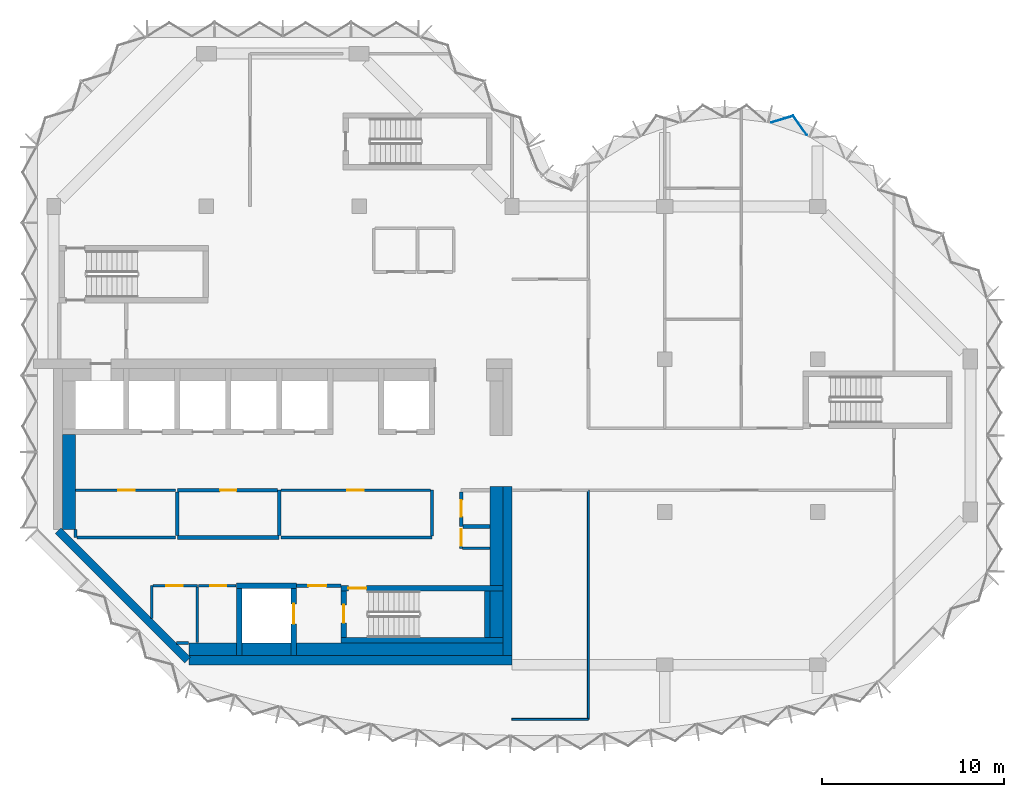
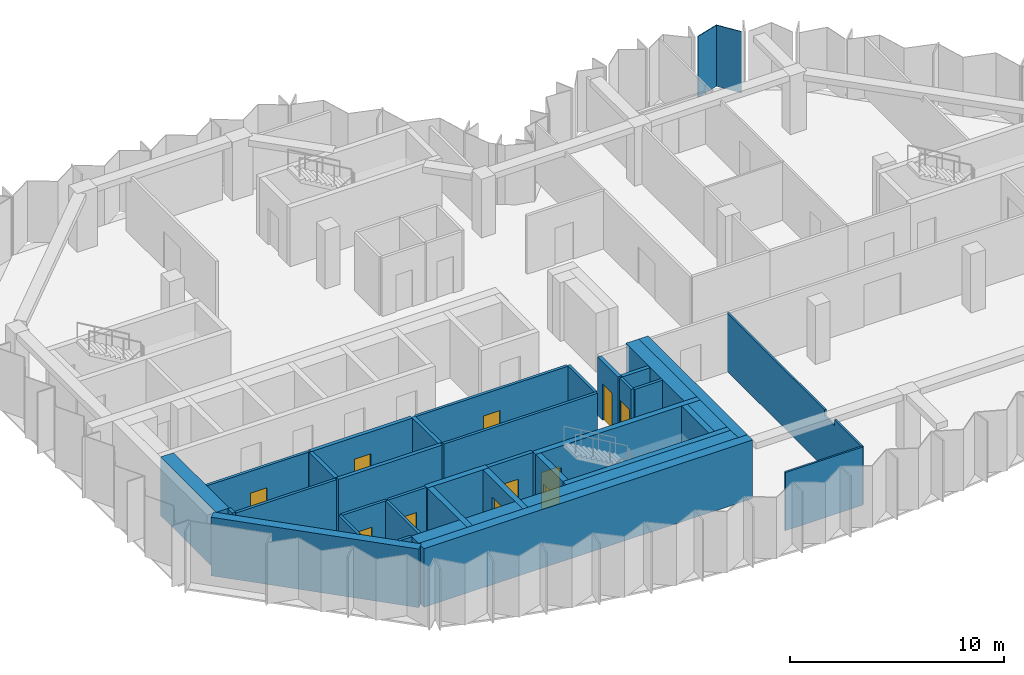
# One storey, part 4 of 9: 38 walls, 11 doors, 1 plate, 11 openings, 1 element without a shape of its own.
"""IFC4 building model written with IfcOpenShell, lengths in metres."""

from ifc_helpers import new_model, si_unit, direction, frame, frame_2d, origin, place, context, subcontext, project, spatial, polyline, rectangle, outline, extrude, material, layer, layer_set, type_object, element, fill, aggregate, save


model = new_model("IFC4")

# Units and contexts
model_context = context("Model", 3, precision=1e-05, world=origin(), true_north=direction((0.0, 1.0)))
body_context = subcontext(model_context, "Body", "Model", "MODEL_VIEW")
ifc_project = project(units=[si_unit("LENGTHUNIT", "METRE"), si_unit("AREAUNIT", "SQUARE_METRE"), si_unit("VOLUMEUNIT", "CUBIC_METRE"), si_unit("PLANEANGLEUNIT", "RADIAN"), si_unit("MASSUNIT", "GRAM", prefix="KILO")], contexts=[model_context])

# Site, building, storey
site_placement = place(None, origin())
site = spatial("IfcSite", under=ifc_project, at=site_placement, CompositionType="ELEMENT")
building_placement = place(site_placement, origin())
building = spatial("IfcBuilding", under=site, at=building_placement, Name="Brevane Broadcast Tower", CompositionType="ELEMENT")
storey_placement = place(building_placement, frame((0.0, 0.0, 240.89990234375)))
storey = spatial("IfcBuildingStorey", under=building, at=storey_placement, Name="L61", CompositionType="ELEMENT", Elevation=240.89990234375)

# Curtain wall, plate
ifc_material_1 = material(Name="Aluminium 6063-T6 bronze anodised", Category="aluminium")
curtain_wall_type = type_object("IfcCurtainWallType", Name="CW-1 curtain wall", PredefinedType="NOTDEFINED", material=ifc_material_1)
curtain_wall_placement = place(storey_placement, origin())
curtain_wall = element("IfcCurtainWall", 1, at=curtain_wall_placement, inside=storey, type_object=curtain_wall_type, Name="CW-1 typical tilted unit L61 east bow", PredefinedType="NOTDEFINED")
ifc_material_2 = material(Name="Laminated glass bronze-tinted", Category="glass")
ifc_layer_1 = layer(ifc_material_2, 0.0400390625)
ifc_layer_set_1 = layer_set([ifc_layer_1], Name="CW tall glass panel 40")
plate_type = type_object("IfcPlateType", Name="CW tall glass panel 40", PredefinedType="CURTAIN_PANEL", material=ifc_layer_set_1)
plate_placement = place(storey_placement, frame((0.0, 0.0, -0.14990234375)))
plate = element("IfcPlate", 2, at=plate_placement, type_object=plate_type, Name="CW-1 glass panel", PredefinedType="CURTAIN_PANEL", context=body_context, shape_type="SweptSolid", body=[
    extrude(outline(polyline([(41.3994140625, 29.104248046875), (41.4189453125, 29.1455078125), (40.667724609375, 30.20166015625), (39.45068359375, 29.83349609375), (39.440185546875, 29.78857421875), (40.65185546875, 30.155029296875), (41.3994140625, 29.104248046875)])), origin(), (0.0, 0.0, 1.0), 3.5),
])
aggregate(curtain_wall, [plate])

# Walls
ifc_material_3 = material(Name="Concrete C32/40", Category="concrete")
ifc_layer_2 = layer(ifc_material_3, 0.699951171875)
ifc_layer_set_2 = layer_set([ifc_layer_2], Name="Core chase wall 700 mm")
wall_type_1 = type_object("IfcWallType", Name="Core chase wall 700 mm", PredefinedType="PARTITIONING", material=ifc_layer_set_2)
wall_1_placement = place(storey_placement, frame((0.85009765625, 7.436279296875, 0.0), z_axis=(0.0, 0.0, 1.0), x_axis=(0.0, 1.0, 0.0)))
element("IfcWall", 3, at=wall_1_placement, inside=storey, type_object=wall_type_1, Name="L61 chase wall LW-1", PredefinedType="PARTITIONING", context=body_context, shape_type="SweptSolid", body=[
    extrude(rectangle(XDim=5.213623046875, YDim=0.699951171875, at=frame_2d((2.60693359375, 0.0))), origin(), (0.0, 0.0, 1.0), 3.35009765625),
])
wall_2_placement = place(storey_placement, frame((7.436279296875, 0.85009765625, 0.0), z_axis=(0.0, 0.0, 1.0), x_axis=(1.0, 0.0, 0.0)))
element("IfcWall", 4, at=wall_2_placement, inside=storey, type_object=wall_type_1, Name="L61 chase wall LS-1", PredefinedType="PARTITIONING", context=body_context, shape_type="SweptSolid", body=[
    extrude(rectangle(XDim=2.61376953125, YDim=0.699951171875, at=frame_2d((1.306884765625, 0.0))), origin(), (0.0, 0.0, 1.0), 3.35009765625),
])
wall_3_placement = place(storey_placement, frame((10.35009765625, 0.85009765625, 0.0), z_axis=(0.0, 0.0, 1.0), x_axis=(1.0, 0.0, 0.0)))
element("IfcWall", 5, at=wall_3_placement, inside=storey, type_object=wall_type_1, Name="L61 chase wall LS-2-1", PredefinedType="PARTITIONING", context=body_context, shape_type="SweptSolid", body=[
    extrude(rectangle(XDim=2.699951171875, YDim=0.699951171875, at=frame_2d((1.35009765625, 0.0))), origin(), (0.0, 0.0, 1.0), 3.35009765625),
])
wall_4_placement = place(storey_placement, frame((13.35009765625, 0.85009765625, 0.0), z_axis=(0.0, 0.0, 1.0), x_axis=(1.0, 0.0, 0.0)))
element("IfcWall", 6, at=wall_4_placement, inside=storey, type_object=wall_type_1, Name="L61 chase wall LS-2-2", PredefinedType="PARTITIONING", context=body_context, shape_type="SweptSolid", body=[
    extrude(rectangle(XDim=11.349853515625, YDim=0.699951171875, at=frame_2d((5.6748046875, 0.0))), origin(), (0.0, 0.0, 1.0), 3.35009765625),
])
wall_5_placement = place(storey_placement, frame((24.35009765625, 1.5, 0.0), z_axis=(0.0, 0.0, 1.0), x_axis=(0.0, 1.0, 0.0)))
element("IfcWall", 7, at=wall_5_placement, inside=storey, type_object=wall_type_1, Name="L61 chase wall LE1-2-1", PredefinedType="PARTITIONING", context=body_context, shape_type="SweptSolid", body=[
    extrude(rectangle(XDim=2.550048828125, YDim=0.699951171875, at=frame_2d((1.27490234375, 0.0))), origin(), (0.0, 0.0, 1.0), 3.35009765625),
])
wall_6_placement = place(storey_placement, frame((24.35009765625, 4.35009765625, 0.0), z_axis=(0.0, 0.0, 1.0), x_axis=(0.0, 1.0, 0.0)))
element("IfcWall", 8, at=wall_6_placement, inside=storey, type_object=wall_type_1, Name="L61 chase wall LE1-2-2", PredefinedType="PARTITIONING", context=body_context, shape_type="SweptSolid", body=[
    extrude(rectangle(XDim=5.449951171875, YDim=0.699951171875, at=frame_2d((2.72509765625, 0.0))), origin(), (0.0, 0.0, 1.0), 3.35009765625),
])
ifc_material_4 = material(Name="Gypsum board on steel studs", Category="steel")
ifc_layer_3 = layer(ifc_material_4, 0.14990234375)
ifc_layer_set_3 = layer_set([ifc_layer_3], Name="Core fire partition 150 mm")
wall_type_2 = type_object("IfcWallType", Name="Core fire partition 150 mm", PredefinedType="PARTITIONING", material=ifc_layer_set_3)
wall_7_placement = place(storey_placement, frame((5.39990234375, 2.553466796875, 0.0), z_axis=(0.0, 0.0, 1.0), x_axis=(0.0, 1.0, 0.0)))
element("IfcWall", 9, at=wall_7_placement, inside=storey, type_object=wall_type_2, Name="L61 partition wall P11", PredefinedType="PARTITIONING", context=body_context, shape_type="SweptSolid", body=[
    extrude(rectangle(XDim=1.796630859375, YDim=0.14990234375, at=frame_2d((0.8984375, 0.0))), origin(), (0.0, 0.0, 1.0), 3.35009765625),
])

# Wall, opening, door
wall_8_placement = place(storey_placement, frame((5.47509765625, 4.35009765625, 0.0), z_axis=(0.0, 0.0, 1.0), x_axis=(1.0, 0.0, 0.0)))
wall_8 = element("IfcWall", 10, at=wall_8_placement, inside=storey, type_object=wall_type_2, Name="L61 partition wall P12", PredefinedType="PARTITIONING", context=body_context, shape_type="SweptSolid", body=[
    extrude(rectangle(XDim=2.4248046875, YDim=0.14990234375, at=frame_2d((1.21240234375, 0.0))), origin(), (0.0, 0.0, 1.0), 3.35009765625),
])
opening_1_placement = place(wall_8_placement, frame((0.72509765625, 0.0, 0.0)))
opening_1 = element("IfcOpeningElement", 11, at=opening_1_placement, cuts=wall_8, Name="Opening L61-K14", PredefinedType="OPENING", context=body_context, shape_type="SweptSolid", body=[
    extrude(rectangle(XDim=0.89990234375, YDim=2.10009765625, at=frame_2d((0.449951171875, 1.050048828125))), frame((0.0, 0.0849609375, 0.0), z_axis=(0.0, -1.0, 0.0), x_axis=(1.0, 0.0, 0.0)), (0.0, 0.0, 1.0), 0.169921875),
])
ifc_material_5 = material(Name="Timber", Category="wood")
door_type_1 = type_object("IfcDoorType", Name="Toilet door 900 x 2100", OperationType="SINGLE_SWING_LEFT", PredefinedType="DOOR", material=ifc_material_5)
door_1_placement = place(opening_1_placement, origin())
door_1 = element("IfcDoor", 12, at=door_1_placement, inside=storey, type_object=door_type_1, Name="Door L61-K14", OperationType="SINGLE_SWING_LEFT", OverallHeight=2.10009765625, OverallWidth=0.89990234375, PredefinedType="DOOR", context=body_context, shape_type="SweptSolid", body=[
    extrude(rectangle(XDim=0.89990234375, YDim=2.10009765625, at=frame_2d((0.449951171875, 1.050048828125))), frame((0.0, 0.02490234375, 0.0), z_axis=(0.0, -1.0, 0.0), x_axis=(1.0, 0.0, 0.0)), (0.0, 0.0, 1.0), 0.050048828125),
])
fill(opening_1, door_1)

# Walls
wall_9_placement = place(storey_placement, frame((7.89990234375, 4.27490234375, 0.0), z_axis=(0.0, 0.0, 1.0), x_axis=(0.0, -1.0, 0.0)))
element("IfcWall", 13, at=wall_9_placement, inside=storey, type_object=wall_type_2, Name="L61 partition wall P13", PredefinedType="PARTITIONING", context=body_context, shape_type="SweptSolid", body=[
    extrude(rectangle(XDim=3.06298828125, YDim=0.14990234375, at=frame_2d((1.531494140625, 0.0))), origin(), (0.0, 0.0, 1.0), 3.35009765625),
])
wall_10_placement = place(storey_placement, frame((7.42431640625, 1.199951171875, 0.0), z_axis=(0.0, 0.0, 1.0), x_axis=(-1.0, 0.0, 0.0)))
element("IfcWall", 14, at=wall_10_placement, inside=storey, type_object=wall_type_2, Name="L61 partition wall P14", PredefinedType="PARTITIONING", context=body_context, shape_type="SweptSolid", body=[
    extrude(rectangle(XDim=0.6708984375, YDim=0.14990234375, at=frame_2d((0.33544921875, 0.0))), origin(), (0.0, 0.0, 1.0), 3.35009765625),
])

# Wall, opening, door
wall_11_placement = place(storey_placement, frame((6.699951171875, 9.60009765625, 0.0), z_axis=(0.0, 0.0, 1.0), x_axis=(-1.0, 0.0, 0.0)))
wall_11 = element("IfcWall", 15, at=wall_11_placement, inside=storey, type_object=wall_type_2, Name="L61 partition wall P15", PredefinedType="PARTITIONING", context=body_context, shape_type="SweptSolid", body=[
    extrude(rectangle(XDim=5.488037109375, YDim=0.14990234375, at=frame_2d((2.744140625, 0.0))), origin(), (0.0, 0.0, 1.0), 3.35009765625),
])
opening_2_placement = place(wall_11_placement, frame((2.25, 0.0, 0.0)))
opening_2 = element("IfcOpeningElement", 16, at=opening_2_placement, cuts=wall_11, Name="Opening L61-K19", PredefinedType="OPENING", context=body_context, shape_type="SweptSolid", body=[
    extrude(rectangle(XDim=0.89990234375, YDim=2.10009765625, at=frame_2d((0.449951171875, 1.050048828125))), frame((0.0, 0.0849609375, 0.0), z_axis=(0.0, -1.0, 0.0), x_axis=(1.0, 0.0, 0.0)), (0.0, 0.0, 1.0), 0.169921875),
])
ifc_material_6 = material(Name="Steel", Category="steel")
door_type_2 = type_object("IfcDoorType", Name="Service room door 900 x 2100", OperationType="SINGLE_SWING_LEFT", PredefinedType="DOOR", material=ifc_material_6)
door_2_placement = place(opening_2_placement, origin())
door_2 = element("IfcDoor", 17, at=door_2_placement, inside=storey, type_object=door_type_2, Name="Door L61-K19", OperationType="SINGLE_SWING_RIGHT", OverallHeight=2.10009765625, OverallWidth=0.89990234375, PredefinedType="DOOR", context=body_context, shape_type="SweptSolid", body=[
    extrude(rectangle(XDim=0.89990234375, YDim=2.10009765625, at=frame_2d((0.449951171875, 1.050048828125))), frame((0.0, 0.02490234375, 0.0), z_axis=(0.0, -1.0, 0.0), x_axis=(1.0, 0.0, 0.0)), (0.0, 0.0, 1.0), 0.050048828125),
])
fill(opening_2, door_2)

# Walls
wall_12_placement = place(storey_placement, frame((1.199951171875, 7.42431640625, 0.0), z_axis=(0.0, 0.0, 1.0), x_axis=(0.0, -1.0, 0.0)))
element("IfcWall", 18, at=wall_12_placement, inside=storey, type_object=wall_type_2, Name="L61 partition wall P16", PredefinedType="PARTITIONING", context=body_context, shape_type="SweptSolid", body=[
    extrude(rectangle(XDim=0.42431640625, YDim=0.14990234375, at=frame_2d((0.212158203125, 0.0))), origin(), (0.0, 0.0, 1.0), 3.35009765625),
])
wall_13_placement = place(storey_placement, frame((1.27490234375, 7.0, 0.0), z_axis=(0.0, 0.0, 1.0), x_axis=(1.0, 0.0, 0.0)))
element("IfcWall", 19, at=wall_13_placement, inside=storey, type_object=wall_type_2, Name="L61 partition wall P17", PredefinedType="PARTITIONING", context=body_context, shape_type="SweptSolid", body=[
    extrude(rectangle(XDim=5.425048828125, YDim=0.14990234375, at=frame_2d((2.71240234375, 0.0))), origin(), (0.0, 0.0, 1.0), 3.35009765625),
])

# Wall, opening, door
wall_14_placement = place(storey_placement, frame((10.0380859375, 4.35009765625, 0.0), z_axis=(0.0, 0.0, 1.0), x_axis=(-1.0, 0.0, 0.0)))
wall_14 = element("IfcWall", 20, at=wall_14_placement, inside=storey, type_object=wall_type_2, Name="L61 partition wall P18", PredefinedType="PARTITIONING", context=body_context, shape_type="SweptSolid", body=[
    extrude(rectangle(XDim=2.06298828125, YDim=0.14990234375, at=frame_2d((1.031494140625, 0.0))), origin(), (0.0, 0.0, 1.0), 3.35009765625),
])
opening_3_placement = place(wall_14_placement, frame((0.5380859375, 0.0, 0.0)))
opening_3 = element("IfcOpeningElement", 21, at=opening_3_placement, cuts=wall_14, Name="Opening L61-K15", PredefinedType="OPENING", context=body_context, shape_type="SweptSolid", body=[
    extrude(rectangle(XDim=0.89990234375, YDim=2.10009765625, at=frame_2d((0.449951171875, 1.050048828125))), frame((0.0, 0.0849609375, 0.0), z_axis=(0.0, -1.0, 0.0), x_axis=(1.0, 0.0, 0.0)), (0.0, 0.0, 1.0), 0.169921875),
])
door_3_placement = place(opening_3_placement, origin())
door_3 = element("IfcDoor", 22, at=door_3_placement, inside=storey, type_object=door_type_1, Name="Door L61-K15", OperationType="SINGLE_SWING_RIGHT", OverallHeight=2.10009765625, OverallWidth=0.89990234375, PredefinedType="DOOR", context=body_context, shape_type="SweptSolid", body=[
    extrude(rectangle(XDim=0.89990234375, YDim=2.10009765625, at=frame_2d((0.449951171875, 1.050048828125))), frame((0.0, 0.02490234375, 0.0), z_axis=(0.0, -1.0, 0.0), x_axis=(1.0, 0.0, 0.0)), (0.0, 0.0, 1.0), 0.050048828125),
])
fill(opening_3, door_3)

# Walls
wall_15_placement = place(storey_placement, frame((12.5, 7.0, 0.0), z_axis=(0.0, 0.0, 1.0), x_axis=(1.0, 0.0, 0.0)))
element("IfcWall", 23, at=wall_15_placement, inside=storey, type_object=wall_type_2, Name="L61 partition wall P19", PredefinedType="PARTITIONING", context=body_context, shape_type="SweptSolid", body=[
    extrude(rectangle(XDim=8.300048828125, YDim=0.14990234375, at=frame_2d((4.14990234375, 0.0))), origin(), (0.0, 0.0, 1.0), 3.35009765625),
])
wall_16_placement = place(storey_placement, frame((20.800048828125, 7.074951171875, 0.0), z_axis=(0.0, 0.0, 1.0), x_axis=(0.0, 1.0, 0.0)))
element("IfcWall", 24, at=wall_16_placement, inside=storey, type_object=wall_type_2, Name="L61 partition wall P20", PredefinedType="PARTITIONING", context=body_context, shape_type="SweptSolid", body=[
    extrude(rectangle(XDim=2.525146484375, YDim=0.14990234375, at=frame_2d((1.2626953125, 0.0))), origin(), (0.0, 0.0, 1.0), 3.35009765625),
])

# Wall, opening, door
wall_17_placement = place(storey_placement, frame((20.72509765625, 9.60009765625, 0.0), z_axis=(0.0, 0.0, 1.0), x_axis=(-1.0, 0.0, 0.0)))
wall_17 = element("IfcWall", 25, at=wall_17_placement, inside=storey, type_object=wall_type_2, Name="L61 partition wall P21", PredefinedType="PARTITIONING", context=body_context, shape_type="SweptSolid", body=[
    extrude(rectangle(XDim=8.22509765625, YDim=0.14990234375, at=frame_2d((4.112548828125, 0.0))), origin(), (0.0, 0.0, 1.0), 3.35009765625),
])
opening_4_placement = place(wall_17_placement, frame((3.675048828125, 0.0, 0.0)))
opening_4 = element("IfcOpeningElement", 26, at=opening_4_placement, cuts=wall_17, Name="Opening L61-K21", PredefinedType="OPENING", context=body_context, shape_type="SweptSolid", body=[
    extrude(rectangle(XDim=0.89990234375, YDim=2.10009765625, at=frame_2d((0.449951171875, 1.050048828125))), frame((0.0, 0.0849609375, 0.0), z_axis=(0.0, -1.0, 0.0), x_axis=(1.0, 0.0, 0.0)), (0.0, 0.0, 1.0), 0.169921875),
])
door_4_placement = place(opening_4_placement, origin())
door_4 = element("IfcDoor", 27, at=door_4_placement, inside=storey, type_object=door_type_2, Name="Door L61-K21", OperationType="SINGLE_SWING_RIGHT", OverallHeight=2.10009765625, OverallWidth=0.89990234375, PredefinedType="DOOR", context=body_context, shape_type="SweptSolid", body=[
    extrude(rectangle(XDim=0.89990234375, YDim=2.10009765625, at=frame_2d((0.449951171875, 1.050048828125))), frame((0.0, 0.02490234375, 0.0), z_axis=(0.0, -1.0, 0.0), x_axis=(1.0, 0.0, 0.0)), (0.0, 0.0, 1.0), 0.050048828125),
])
fill(opening_4, door_4)

wall_18_placement = place(storey_placement, frame((22.39990234375, 7.5, 0.0), z_axis=(0.0, 0.0, 1.0), x_axis=(0.0, -1.0, 0.0)))
wall_18 = element("IfcWall", 28, at=wall_18_placement, inside=storey, type_object=wall_type_2, Name="L61 partition wall P29", PredefinedType="PARTITIONING", context=body_context, shape_type="SweptSolid", body=[
    extrude(rectangle(XDim=1.10009765625, YDim=0.14990234375, at=frame_2d((0.550048828125, 0.0))), origin(), (0.0, 0.0, 1.0), 3.35009765625),
])
opening_5_placement = place(wall_18_placement, frame((0.050048828125, 0.0, 0.0)))
opening_5 = element("IfcOpeningElement", 29, at=opening_5_placement, cuts=wall_18, Name="Opening L61-K17", PredefinedType="OPENING", context=body_context, shape_type="SweptSolid", body=[
    extrude(rectangle(XDim=0.89990234375, YDim=2.10009765625, at=frame_2d((0.449951171875, 1.050048828125))), frame((0.0, 0.0849609375, 0.0), z_axis=(0.0, -1.0, 0.0), x_axis=(1.0, 0.0, 0.0)), (0.0, 0.0, 1.0), 0.169921875),
])
door_5_placement = place(opening_5_placement, origin())
door_5 = element("IfcDoor", 30, at=door_5_placement, inside=storey, type_object=door_type_2, Name="Door L61-K17", OperationType="SINGLE_SWING_RIGHT", OverallHeight=2.10009765625, OverallWidth=0.89990234375, PredefinedType="DOOR", context=body_context, shape_type="SweptSolid", body=[
    extrude(rectangle(XDim=0.89990234375, YDim=2.10009765625, at=frame_2d((0.449951171875, 1.050048828125))), frame((0.0, 0.02490234375, 0.0), z_axis=(0.0, -1.0, 0.0), x_axis=(1.0, 0.0, 0.0)), (0.0, 0.0, 1.0), 0.050048828125),
])
fill(opening_5, door_5)

# Wall
wall_19_placement = place(storey_placement, frame((22.47509765625, 6.39990234375, 0.0), z_axis=(0.0, 0.0, 1.0), x_axis=(1.0, 0.0, 0.0)))
element("IfcWall", 31, at=wall_19_placement, inside=storey, type_object=wall_type_2, Name="L61 partition wall P30", PredefinedType="PARTITIONING", context=body_context, shape_type="SweptSolid", body=[
    extrude(rectangle(XDim=1.512939453125, YDim=0.14990234375, at=frame_2d((0.75634765625, 0.0))), origin(), (0.0, 0.0, 1.0), 3.35009765625),
])

# Wall, opening, door
ifc_layer_4 = layer(ifc_material_4, 0.199951171875)
ifc_layer_set_4 = layer_set([ifc_layer_4], Name="Core fire partition 200 mm")
wall_type_3 = type_object("IfcWallType", Name="Core fire partition 200 mm", PredefinedType="PARTITIONING", material=ifc_layer_set_4)
wall_20_placement = place(storey_placement, frame((13.362060546875, 4.35009765625, 0.0), z_axis=(0.0, 0.0, 1.0), x_axis=(1.0, 0.0, 0.0)))
wall_20 = element("IfcWall", 32, at=wall_20_placement, inside=storey, type_object=wall_type_3, Name="L61 partition wall P03", PredefinedType="PARTITIONING", context=body_context, shape_type="SweptSolid", body=[
    extrude(rectangle(XDim=2.426025390625, YDim=0.199951171875, at=frame_2d((1.212890625, 0.0))), origin(), (0.0, 0.0, 1.0), 3.35009765625),
])
opening_6_placement = place(wall_20_placement, frame((0.637939453125, 0.0, 0.0)))
opening_6 = element("IfcOpeningElement", 33, at=opening_6_placement, cuts=wall_20, Name="Opening L61-K16", PredefinedType="OPENING", context=body_context, shape_type="SweptSolid", body=[
    extrude(rectangle(XDim=1.0, YDim=2.10009765625, at=frame_2d((0.5, 1.050048828125))), frame((0.0, 0.10986328125, 0.0), z_axis=(0.0, -1.0, 0.0), x_axis=(1.0, 0.0, 0.0)), (0.0, 0.0, 1.0), 0.219970703125),
])
door_type_3 = type_object("IfcDoorType", Name="Stair door 1000 x 2100", OperationType="SINGLE_SWING_LEFT", PredefinedType="DOOR", material=ifc_material_6)
door_6_placement = place(opening_6_placement, origin())
door_6 = element("IfcDoor", 34, at=door_6_placement, inside=storey, type_object=door_type_3, Name="Door L61-K16", OperationType="SINGLE_SWING_LEFT", OverallHeight=2.10009765625, OverallWidth=1.0, PredefinedType="DOOR", context=body_context, shape_type="SweptSolid", body=[
    extrude(rectangle(XDim=1.0, YDim=2.10009765625, at=frame_2d((0.5, 1.050048828125))), frame((0.0, 0.02490234375, 0.0), z_axis=(0.0, -1.0, 0.0), x_axis=(1.0, 0.0, 0.0)), (0.0, 0.0, 1.0), 0.050048828125),
])
fill(opening_6, door_6)

wall_21_placement = place(storey_placement, frame((22.39990234375, 9.5, 0.0), z_axis=(0.0, 0.0, 1.0), x_axis=(0.0, -1.0, 0.0)))
wall_21 = element("IfcWall", 35, at=wall_21_placement, inside=storey, type_object=wall_type_3, Name="L61 partition wall P05", PredefinedType="PARTITIONING", context=body_context, shape_type="SweptSolid", body=[
    extrude(rectangle(XDim=1.89990234375, YDim=0.199951171875, at=frame_2d((0.949951171875, 0.0))), origin(), (0.0, 0.0, 1.0), 3.35009765625),
])
opening_7_placement = place(wall_21_placement, frame((0.449951171875, 0.0, 0.0)))
opening_7 = element("IfcOpeningElement", 36, at=opening_7_placement, cuts=wall_21, Name="Opening L61-K18", PredefinedType="OPENING", context=body_context, shape_type="SweptSolid", body=[
    extrude(rectangle(XDim=0.89990234375, YDim=2.10009765625, at=frame_2d((0.449951171875, 1.050048828125))), frame((0.0, 0.10986328125, 0.0), z_axis=(0.0, -1.0, 0.0), x_axis=(1.0, 0.0, 0.0)), (0.0, 0.0, 1.0), 0.219970703125),
])
door_7_placement = place(opening_7_placement, origin())
door_7 = element("IfcDoor", 37, at=door_7_placement, inside=storey, type_object=door_type_2, Name="Door L61-K18", OperationType="SINGLE_SWING_LEFT", OverallHeight=2.10009765625, OverallWidth=0.89990234375, PredefinedType="DOOR", context=body_context, shape_type="SweptSolid", body=[
    extrude(rectangle(XDim=0.89990234375, YDim=2.10009765625, at=frame_2d((0.449951171875, 1.050048828125))), frame((0.0, 0.02490234375, 0.0), z_axis=(0.0, -1.0, 0.0), x_axis=(1.0, 0.0, 0.0)), (0.0, 0.0, 1.0), 0.050048828125),
])
fill(opening_7, door_7)

# Walls
wall_22_placement = place(storey_placement, frame((22.5, 7.60009765625, 0.0), z_axis=(0.0, 0.0, 1.0), x_axis=(1.0, 0.0, 0.0)))
element("IfcWall", 38, at=wall_22_placement, inside=storey, type_object=wall_type_3, Name="L61 partition wall P06", PredefinedType="PARTITIONING", context=body_context, shape_type="SweptSolid", body=[
    extrude(rectangle(XDim=1.488037109375, YDim=0.199951171875, at=frame_2d((0.744140625, 0.0))), origin(), (0.0, 0.0, 1.0), 3.35009765625),
])
wall_23_placement = place(storey_placement, frame((6.800048828125, 7.0, 0.0), z_axis=(0.0, 0.0, 1.0), x_axis=(1.0, 0.0, 0.0)))
element("IfcWall", 39, at=wall_23_placement, inside=storey, type_object=wall_type_3, Name="L61 partition wall P07", PredefinedType="PARTITIONING", context=body_context, shape_type="SweptSolid", body=[
    extrude(rectangle(XDim=5.599853515625, YDim=0.199951171875, at=frame_2d((2.7998046875, 0.0))), origin(), (0.0, 0.0, 1.0), 3.35009765625),
])
wall_24_placement = place(storey_placement, frame((12.39990234375, 7.10009765625, 0.0), z_axis=(0.0, 0.0, 1.0), x_axis=(0.0, 1.0, 0.0)))
element("IfcWall", 40, at=wall_24_placement, inside=storey, type_object=wall_type_3, Name="L61 partition wall P08", PredefinedType="PARTITIONING", context=body_context, shape_type="SweptSolid", body=[
    extrude(rectangle(XDim=2.5, YDim=0.199951171875, at=frame_2d((1.25, 0.0))), origin(), (0.0, 0.0, 1.0), 3.35009765625),
])

# Wall, opening, door
wall_25_placement = place(storey_placement, frame((12.300048828125, 9.60009765625, 0.0), z_axis=(0.0, 0.0, 1.0), x_axis=(-1.0, 0.0, 0.0)))
wall_25 = element("IfcWall", 41, at=wall_25_placement, inside=storey, type_object=wall_type_3, Name="L61 partition wall P09", PredefinedType="PARTITIONING", context=body_context, shape_type="SweptSolid", body=[
    extrude(rectangle(XDim=5.5, YDim=0.199951171875, at=frame_2d((2.75, 0.0))), origin(), (0.0, 0.0, 1.0), 3.35009765625),
])
opening_8_placement = place(wall_25_placement, frame((2.25, 0.0, 0.0)))
opening_8 = element("IfcOpeningElement", 42, at=opening_8_placement, cuts=wall_25, Name="Opening L61-K20", PredefinedType="OPENING", context=body_context, shape_type="SweptSolid", body=[
    extrude(rectangle(XDim=0.89990234375, YDim=2.10009765625, at=frame_2d((0.449951171875, 1.050048828125))), frame((0.0, 0.10986328125, 0.0), z_axis=(0.0, -1.0, 0.0), x_axis=(1.0, 0.0, 0.0)), (0.0, 0.0, 1.0), 0.219970703125),
])
door_8_placement = place(opening_8_placement, origin())
door_8 = element("IfcDoor", 43, at=door_8_placement, inside=storey, type_object=door_type_2, Name="Door L61-K20", OperationType="SINGLE_SWING_LEFT", OverallHeight=2.10009765625, OverallWidth=0.89990234375, PredefinedType="DOOR", context=body_context, shape_type="SweptSolid", body=[
    extrude(rectangle(XDim=0.89990234375, YDim=2.10009765625, at=frame_2d((0.449951171875, 1.050048828125))), frame((0.0, 0.02490234375, 0.0), z_axis=(0.0, -1.0, 0.0), x_axis=(1.0, 0.0, 0.0)), (0.0, 0.0, 1.0), 0.050048828125),
])
fill(opening_8, door_8)

# Walls
wall_26_placement = place(storey_placement, frame((6.800048828125, 9.5, 0.0), z_axis=(0.0, 0.0, 1.0), x_axis=(0.0, -1.0, 0.0)))
element("IfcWall", 44, at=wall_26_placement, inside=storey, type_object=wall_type_3, Name="L61 partition wall P10", PredefinedType="PARTITIONING", context=body_context, shape_type="SweptSolid", body=[
    extrude(rectangle(XDim=2.39990234375, YDim=0.199951171875, at=frame_2d((1.199951171875, 0.0))), origin(), (0.0, 0.0, 1.0), 3.35009765625),
])
ifc_material_7 = material(Name="Concrete C50/60", Category="concrete")
ifc_layer_5 = layer(ifc_material_7, 0.300048828125)
ifc_layer_set_5 = layer_set([ifc_layer_5], Name="Core wall 300 mm C50/60")
wall_type_4 = type_object("IfcWallType", Name="Core wall 300 mm C50/60", PredefinedType="SHEAR", material=ifc_layer_set_5)
wall_27_placement = place(storey_placement, frame((10.199951171875, 0.5, 0.0), z_axis=(0.0, 0.0, 1.0), x_axis=(0.0, 1.0, 0.0)))
element("IfcWall", 45, at=wall_27_placement, inside=storey, type_object=wall_type_4, Name="L61 shaft wall FF2-W", PredefinedType="SHEAR", context=body_context, shape_type="SweptSolid", body=[
    extrude(rectangle(XDim=3.699951171875, YDim=0.300048828125, at=frame_2d((1.85009765625, 0.0))), origin(), (0.0, 0.0, 1.0), 3.35009765625),
])

# Wall, opening, door
wall_28_placement = place(storey_placement, frame((13.199951171875, 0.5, 0.0), z_axis=(0.0, 0.0, 1.0), x_axis=(0.0, 1.0, 0.0)))
wall_28 = element("IfcWall", 46, at=wall_28_placement, inside=storey, type_object=wall_type_4, Name="L61 shaft wall FF2-E", PredefinedType="SHEAR", context=body_context, shape_type="SweptSolid", body=[
    extrude(rectangle(XDim=3.699951171875, YDim=0.300048828125, at=frame_2d((1.85009765625, 0.0))), origin(), (0.0, 0.0, 1.0), 3.35009765625),
])
opening_9_placement = place(wall_28_placement, frame((1.75, 0.0, 0.0)))
opening_9 = element("IfcOpeningElement", 47, at=opening_9_placement, cuts=wall_28, Name="Opening LD", PredefinedType="OPENING", context=body_context, shape_type="SweptSolid", body=[
    extrude(rectangle(XDim=1.10009765625, YDim=2.300048828125, at=frame_2d((0.550048828125, 1.14990234375))), frame((0.0, 0.159912109375, 0.0), z_axis=(0.0, -1.0, 0.0), x_axis=(1.0, 0.0, 0.0)), (0.0, 0.0, 1.0), 0.320068359375),
])
ifc_material_8 = material(Name="Stainless steel", Category="steel")
door_type_4 = type_object("IfcDoorType", Name="Lift landing door", OperationType="SLIDING_TO_LEFT", PredefinedType="DOOR", material=ifc_material_8)
door_9_placement = place(opening_9_placement, origin())
door_9 = element("IfcDoor", 48, at=door_9_placement, inside=storey, type_object=door_type_4, Name="Landing door FF2 L61", OperationType="SLIDING_TO_LEFT", OverallHeight=2.300048828125, OverallWidth=1.10009765625, PredefinedType="DOOR", context=body_context, shape_type="SweptSolid", body=[
    extrude(rectangle(XDim=1.10009765625, YDim=2.300048828125, at=frame_2d((0.550048828125, 1.14990234375))), frame((0.0, 0.02490234375, 0.0), z_axis=(0.0, -1.0, 0.0), x_axis=(1.0, 0.0, 0.0)), (0.0, 0.0, 1.0), 0.050048828125),
])
fill(opening_9, door_9)

# Walls
wall_29_placement = place(storey_placement, frame((10.050048828125, 4.35009765625, 0.0), z_axis=(0.0, 0.0, 1.0), x_axis=(1.0, 0.0, 0.0)))
element("IfcWall", 49, at=wall_29_placement, inside=storey, type_object=wall_type_4, Name="L61 shaft wall FF2-N", PredefinedType="SHEAR", context=body_context, shape_type="SweptSolid", body=[
    extrude(rectangle(XDim=3.300048828125, YDim=0.300048828125, at=frame_2d((1.64990234375, 0.0))), origin(), (0.0, 0.0, 1.0), 3.35009765625),
])
wall_30_placement = place(storey_placement, frame((15.800048828125, 1.35009765625, 0.0), z_axis=(0.0, 0.0, 1.0), x_axis=(1.0, 0.0, 0.0)))
element("IfcWall", 50, at=wall_30_placement, inside=storey, type_object=wall_type_4, Name="L61 stair wall ST-2-S", PredefinedType="SHEAR", context=body_context, shape_type="SweptSolid", body=[
    extrude(rectangle(XDim=8.89990234375, YDim=0.300048828125, at=frame_2d((4.449951171875, 0.0))), origin(), (0.0, 0.0, 1.0), 3.35009765625),
])

# Wall, opening, door
wall_31_placement = place(storey_placement, frame((15.800048828125, 4.199951171875, 0.0), z_axis=(0.0, 0.0, 1.0), x_axis=(1.0, 0.0, 0.0)))
wall_31 = element("IfcWall", 51, at=wall_31_placement, inside=storey, type_object=wall_type_4, Name="L61 stair wall ST-2-N", PredefinedType="SHEAR", context=body_context, shape_type="SweptSolid", body=[
    extrude(rectangle(XDim=8.89990234375, YDim=0.300048828125, at=frame_2d((4.449951171875, 0.0))), origin(), (0.0, 0.0, 1.0), 3.35009765625),
])
opening_10_placement = place(wall_31_placement, frame((0.39990234375, 0.0, 0.0)))
opening_10 = element("IfcOpeningElement", 52, at=opening_10_placement, cuts=wall_31, Name="Opening L61-K11", PredefinedType="OPENING", context=body_context, shape_type="SweptSolid", body=[
    extrude(rectangle(XDim=1.0, YDim=2.10009765625, at=frame_2d((0.5, 1.050048828125))), frame((0.0, 0.159912109375, 0.0), z_axis=(0.0, -1.0, 0.0), x_axis=(1.0, 0.0, 0.0)), (0.0, 0.0, 1.0), 0.320068359375),
])
door_10_placement = place(opening_10_placement, origin())
door_10 = element("IfcDoor", 53, at=door_10_placement, inside=storey, type_object=door_type_3, Name="Door L61-K11", OperationType="SINGLE_SWING_RIGHT", OverallHeight=2.10009765625, OverallWidth=1.0, PredefinedType="DOOR", context=body_context, shape_type="SweptSolid", body=[
    extrude(rectangle(XDim=1.0, YDim=2.10009765625, at=frame_2d((0.5, 1.050048828125))), frame((0.0, 0.02490234375, 0.0), z_axis=(0.0, -1.0, 0.0), x_axis=(1.0, 0.0, 0.0)), (0.0, 0.0, 1.0), 0.050048828125),
])
fill(opening_10, door_10)

wall_32_placement = place(storey_placement, frame((15.949951171875, 1.5, 0.0), z_axis=(0.0, 0.0, 1.0), x_axis=(0.0, 1.0, 0.0)))
wall_32 = element("IfcWall", 54, at=wall_32_placement, inside=storey, type_object=wall_type_4, Name="L61 stair wall ST-2-W", PredefinedType="SHEAR", context=body_context, shape_type="SweptSolid", body=[
    extrude(rectangle(XDim=2.550048828125, YDim=0.300048828125, at=frame_2d((1.27490234375, 0.0))), origin(), (0.0, 0.0, 1.0), 3.35009765625),
])
opening_11_placement = place(wall_32_placement, frame((0.800048828125, 0.0, 0.0)))
opening_11 = element("IfcOpeningElement", 55, at=opening_11_placement, cuts=wall_32, Name="Opening L61-K10", PredefinedType="OPENING", context=body_context, shape_type="SweptSolid", body=[
    extrude(rectangle(XDim=1.0, YDim=2.10009765625, at=frame_2d((0.5, 1.050048828125))), frame((0.0, 0.159912109375, 0.0), z_axis=(0.0, -1.0, 0.0), x_axis=(1.0, 0.0, 0.0)), (0.0, 0.0, 1.0), 0.320068359375),
])
door_11_placement = place(opening_11_placement, origin())
door_11 = element("IfcDoor", 56, at=door_11_placement, inside=storey, type_object=door_type_3, Name="Door L61-K10", OperationType="SINGLE_SWING_LEFT", OverallHeight=2.10009765625, OverallWidth=1.0, PredefinedType="DOOR", context=body_context, shape_type="SweptSolid", body=[
    extrude(rectangle(XDim=1.0, YDim=2.10009765625, at=frame_2d((0.5, 1.050048828125))), frame((0.0, 0.02490234375, 0.0), z_axis=(0.0, -1.0, 0.0), x_axis=(1.0, 0.0, 0.0)), (0.0, 0.0, 1.0), 0.050048828125),
])
fill(opening_11, door_11)

# Walls
wall_33_placement = place(storey_placement, frame((23.85009765625, 1.5, 0.0), z_axis=(0.0, 0.0, 1.0), x_axis=(0.0, 1.0, 0.0)))
element("IfcWall", 57, at=wall_33_placement, inside=storey, type_object=wall_type_4, Name="L61 stair wall ST-2-E", PredefinedType="SHEAR", context=body_context, shape_type="SweptSolid", body=[
    extrude(rectangle(XDim=2.550048828125, YDim=0.300048828125, at=frame_2d((1.27490234375, 0.0))), origin(), (0.0, 0.0, 1.0), 3.35009765625),
])
ifc_layer_6 = layer(ifc_material_7, 0.449951171875)
ifc_layer_set_6 = layer_set([ifc_layer_6], Name="Core wall 450 mm C50/60")
wall_type_5 = type_object("IfcWallType", Name="Core wall 450 mm C50/60", PredefinedType="SHEAR", material=ifc_layer_set_6)
wall_34_placement = place(storey_placement, frame((0.25, 7.3681640625, 0.0), z_axis=(0.0, 0.0, 1.0), x_axis=(0.707106781187, -0.707106781187, 0.0)))
element("IfcWall", 58, at=wall_34_placement, inside=storey, type_object=wall_type_5, Name="L61 outer wall WC", PredefinedType="SHEAR", context=body_context, shape_type="SweptSolid", body=[
    extrude(rectangle(XDim=10.066650390625, YDim=0.449951171875, at=frame_2d((5.033203125, 0.0))), origin(), (0.0, 0.0, 1.0), 3.35009765625),
])
ifc_layer_7 = layer(ifc_material_7, 0.5)
ifc_layer_set_7 = layer_set([ifc_layer_7], Name="Core wall 500 mm C50/60")
wall_type_6 = type_object("IfcWallType", Name="Core wall 500 mm C50/60", PredefinedType="SHEAR", material=ifc_layer_set_7)
wall_35_placement = place(storey_placement, frame((7.436279296875, 0.25, 0.0), z_axis=(0.0, 0.0, 1.0), x_axis=(1.0, 0.0, 0.0)))
element("IfcWall", 59, at=wall_35_placement, inside=storey, type_object=wall_type_6, Name="L61 outer wall WS", PredefinedType="SHEAR", context=body_context, shape_type="SweptSolid", body=[
    extrude(rectangle(XDim=17.763671875, YDim=0.5, at=frame_2d((8.8818359375, 0.0))), origin(), (0.0, 0.0, 1.0), 3.35009765625),
])
wall_36_placement = place(storey_placement, frame((24.949951171875, 0.5, 0.0), z_axis=(0.0, 0.0, 1.0), x_axis=(0.0, 1.0, 0.0)))
element("IfcWall", 60, at=wall_36_placement, inside=storey, type_object=wall_type_6, Name="L61 outer wall WE1", PredefinedType="SHEAR", context=body_context, shape_type="SweptSolid", body=[
    extrude(rectangle(XDim=9.300048828125, YDim=0.5, at=frame_2d((4.64990234375, 0.0))), origin(), (0.0, 0.0, 1.0), 3.35009765625),
])
ifc_material_9 = material(Name="Gypsum board partition")
ifc_layer_8 = layer(ifc_material_9, 0.10009765625)
ifc_layer_set_8 = layer_set([ifc_layer_8], Name="PARTITION 100 STUD")
wall_type_7 = type_object("IfcWallType", Name="PARTITION 100 STUD", PredefinedType="PARTITIONING", material=ifc_layer_set_8)
wall_37_placement = place(storey_placement, frame((29.39990234375, 9.60009765625, 0.0), z_axis=(0.0, 0.0, 1.0), x_axis=(0.0, -1.0, 0.0)))
element("IfcWall", 61, at=wall_37_placement, inside=storey, type_object=wall_type_7, Name="Partition G19-013", PredefinedType="PARTITIONING", context=body_context, shape_type="SweptSolid", body=[
    extrude(outline(polyline([(0.0, 0.0), (12.60009765625, 0.0), (12.60009765625, 3.330078125), (10.050048828125, 3.330078125), (10.048095703125, 2.97998046875), (9.152099609375, 2.97998046875), (9.14990234375, 3.330078125), (0.0, 3.330078125), (0.0, 0.0)])), frame((0.0, 0.050048828125, 0.0), z_axis=(0.0, -1.0, 0.0), x_axis=(1.0, 0.0, 0.0)), (0.0, 0.0, 1.0), 0.10009765625),
])
wall_38_placement = place(storey_placement, frame((29.39990234375, -3.0, 0.0), z_axis=(0.0, 0.0, 1.0), x_axis=(-1.0, 0.0, 0.0)))
element("IfcWall", 62, at=wall_38_placement, inside=storey, type_object=wall_type_7, Name="Partition G19-014", PredefinedType="PARTITIONING", context=body_context, shape_type="SweptSolid", body=[
    extrude(rectangle(XDim=4.199951171875, YDim=0.10009765625, at=frame_2d((2.10009765625, 0.0))), origin(), (0.0, 0.0, 1.0), 3.330078125),
])

save(model, "model.ifc")
